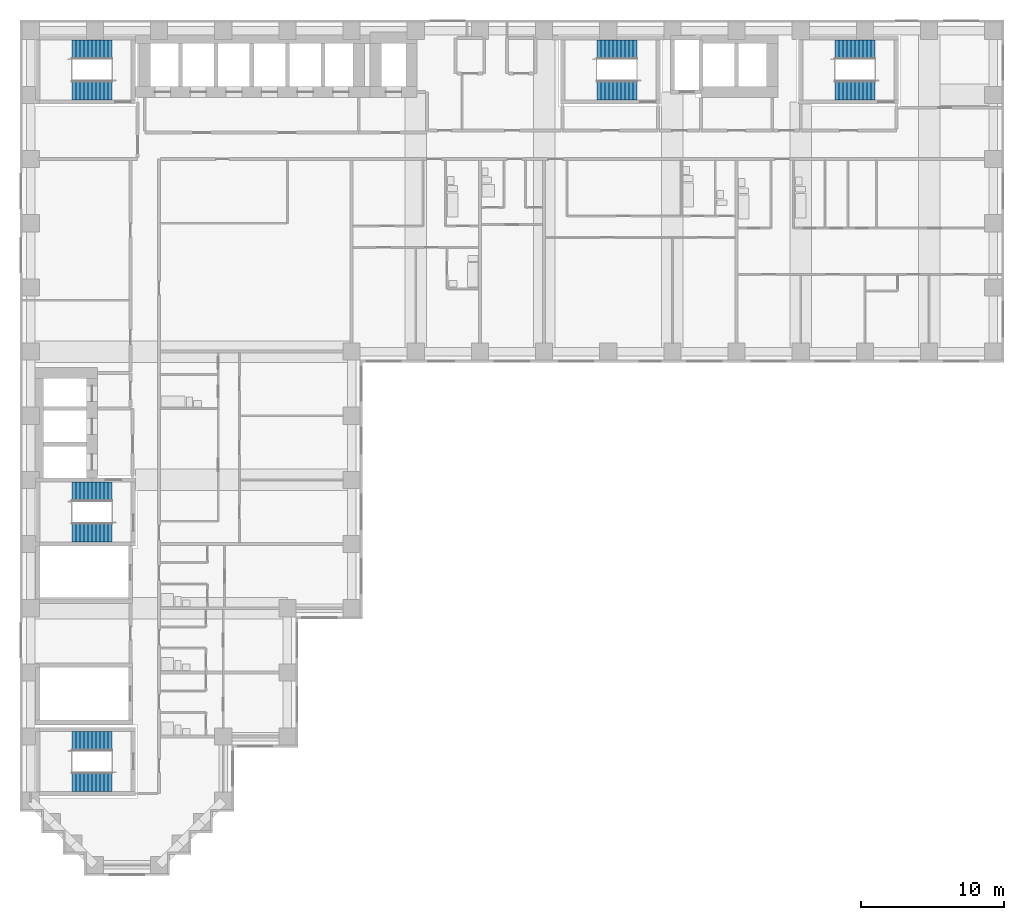
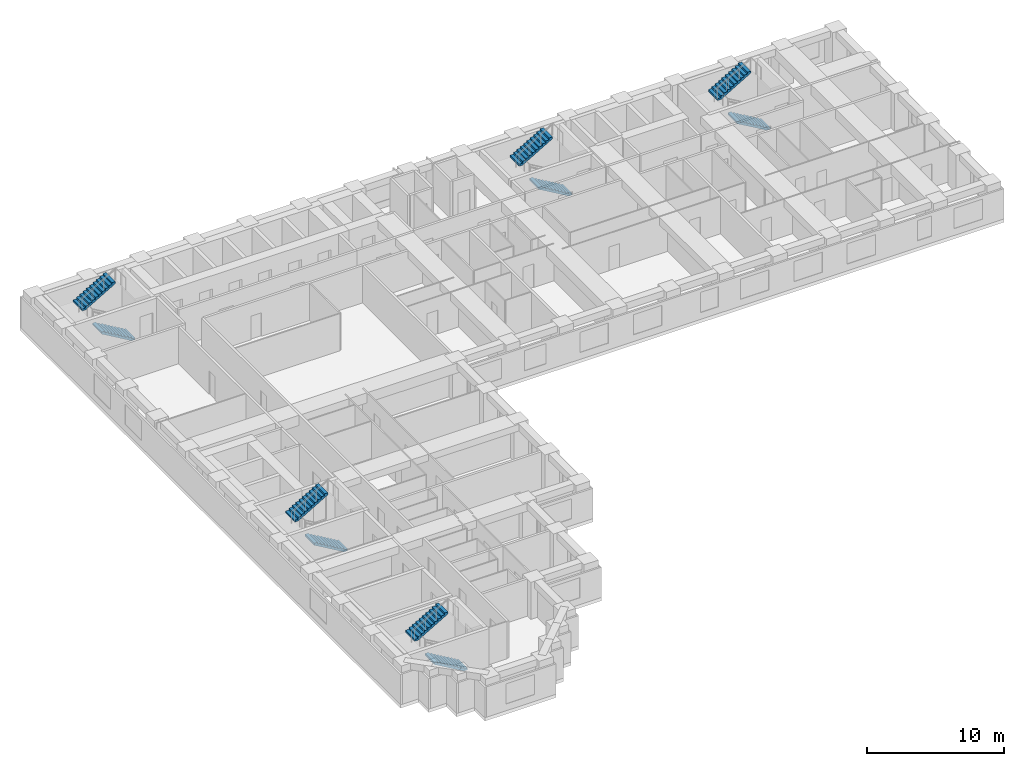
# One storey, part 9 of 11: 10 stair flights, 5 elements without a shape of their own.
"""IFC4 building model written with IfcOpenShell, lengths in metres."""

import ifcopenshell
import ifcopenshell.guid

model = None  # the IFC model being written
_history = None  # IfcOwnerHistory: only IFC2X3 demands one
_inside = {}  # id of a spatial element -> (the spatial element, [elements in it])
_under = {}  # id of a project, library or spatial element -> (it, [spatial elements below it])
_declared = {}  # id of a project -> (the project, [libraries it declares])
_typed = {}  # id of a type object -> (the type object, [elements of that type])
_made_of = {}  # id of a material, layer set ... -> (it, [elements and type objects made of it])


def new_model(schema):
    """Start an empty IFC model of exactly this schema.

    Asked for "IFC4X3", IfcOpenShell would pick the latest addendum, in which some entities
    have other attributes; the version numbers below select the first issue.
    IFC2X3 requires an IfcOwnerHistory on every rooted entity: one is made here for all.
    """
    global model, _history
    if schema == "IFC4X3":
        model = ifcopenshell.file(schema_version=(4, 3, 0, 0))
    else:
        model = ifcopenshell.file(schema=schema)
    _inside.clear()
    _under.clear()
    _declared.clear()
    _typed.clear()
    _made_of.clear()
    _history = None
    if model.schema == "IFC2X3":
        org = make("IfcOrganization", Name="unknown")
        user = make(
            "IfcPersonAndOrganization",
            ThePerson=make("IfcPerson", FamilyName="unknown"),
            TheOrganization=org,
        )
        app = make(
            "IfcApplication",
            ApplicationDeveloper=org,
            Version="unknown",
            ApplicationFullName="unknown",
            ApplicationIdentifier="unknown",
        )
        _history = make(
            "IfcOwnerHistory",
            OwningUser=user,
            OwningApplication=app,
            ChangeAction="ADDED",
            CreationDate=0,
        )
    return model


def make(cls, **values):
    """One entity of the class cls with the attributes given. An attribute that is None is left unset."""
    return model.create_entity(
        cls, **{name: value for name, value in values.items() if value is not None}
    )


def rooted(cls, **values):
    """An entity with a GlobalId (a new one), such as an element, a storey or a relation."""
    return make(cls, GlobalId=ifcopenshell.guid.new(), OwnerHistory=_history, **values)


def si_unit(unit_type, name, prefix=None):
    """IfcSIUnit, for example si_unit("LENGTHUNIT", "METRE", prefix="MILLI")."""
    return make("IfcSIUnit", UnitType=unit_type, Prefix=prefix, Name=name)


def assignment(units):
    """IfcUnitAssignment: the units of a project."""
    return None if units is None else make("IfcUnitAssignment", Units=units)


def point(xyz):
    """IfcCartesianPoint."""
    return None if xyz is None else make("IfcCartesianPoint", Coordinates=xyz)


def direction(xyz):
    """IfcDirection."""
    return None if xyz is None else make("IfcDirection", DirectionRatios=xyz)


def frame(location, z_axis=None, x_axis=None):
    """IfcAxis2Placement3D, a coordinate frame: its origin and axes. An axis left out is left unset."""
    return make(
        "IfcAxis2Placement3D",
        Location=point(location),
        Axis=direction(z_axis),
        RefDirection=direction(x_axis),
    )


def origin():
    """The frame at (0, 0, 0) with its axes left unset."""
    return frame((0.0, 0.0, 0.0))


def place(relative_to, where):
    """IfcLocalPlacement: puts the frame where relative to a parent placement (None: the world)."""
    return make(
        "IfcLocalPlacement", PlacementRelTo=relative_to, RelativePlacement=where
    )


def context(
    kind, dimensions, precision=None, world=None, true_north=None, identifier=None
):
    """IfcGeometricRepresentationContext, for example the 3D "Model" context."""
    return make(
        "IfcGeometricRepresentationContext",
        ContextIdentifier=identifier,
        ContextType=kind,
        CoordinateSpaceDimension=dimensions,
        Precision=precision,
        WorldCoordinateSystem=world,
        TrueNorth=true_north,
    )


def subcontext(parent, identifier, kind, view, scale=None):
    """IfcGeometricRepresentationSubContext, for example "Body" below "Model"."""
    return make(
        "IfcGeometricRepresentationSubContext",
        ContextIdentifier=identifier,
        ContextType=kind,
        ParentContext=parent,
        TargetScale=scale,
        TargetView=view,
    )


def project(units=None, contexts=None):
    """IfcProject with its units and contexts."""
    return rooted(
        "IfcProject",
        Name="project",
        RepresentationContexts=contexts,
        UnitsInContext=assignment(units),
    )


def spatial(cls, under=None, at=None, **own):
    """A site, building, storey or space (cls), placed at a placement, below another one or the project."""
    s = rooted(cls, ObjectPlacement=at, **own)
    if under is not None:
        _under.setdefault(under.id(), (under, []))[1].append(s)
    return s


def polyline(points):
    """IfcPolyline through the points."""
    return make("IfcPolyline", Points=[point(p) for p in points])


def outline(outer, holes=None, kind="AREA"):
    """IfcArbitraryClosedProfileDef: a profile drawn as a closed curve; with holes, ...WithVoids."""
    if holes is None:
        return make("IfcArbitraryClosedProfileDef", ProfileType=kind, OuterCurve=outer)
    return make(
        "IfcArbitraryProfileDefWithVoids",
        ProfileType=kind,
        OuterCurve=outer,
        InnerCurves=holes,
    )


def extrude(swept, where, along, depth):
    """IfcExtrudedAreaSolid: the profile swept, set in the frame where, extruded along a direction by depth."""
    return make(
        "IfcExtrudedAreaSolid",
        SweptArea=swept,
        Position=where,
        ExtrudedDirection=direction(along),
        Depth=depth,
    )


def shape(context_of_items, identifier, shape_type, items):
    """IfcShapeRepresentation: the items that make up one representation, for example the "Body"."""
    return make(
        "IfcShapeRepresentation",
        ContextOfItems=context_of_items,
        RepresentationIdentifier=identifier,
        RepresentationType=shape_type,
        Items=items,
    )


def material(Name=None, Category=None):
    """IfcMaterial."""
    return make("IfcMaterial", Name=Name, Category=Category)


def made_of(thing, what):
    """Note that an element or type object is made of a material, layer set ...; save() writes the relation."""
    if what is not None:
        _made_of.setdefault(what.id(), (what, []))[1].append(thing)
    return thing


def type_object(cls, material=None, **own):
    """A type object (cls), such as IfcWallType, which elements share."""
    return made_of(rooted(cls, **own), material)


def element(
    cls,
    number,
    at=None,
    inside=None,
    cuts=None,
    type_object=None,
    material=None,
    context=None,
    identifier="Body",
    shape_type=None,
    held_by="IfcProductDefinitionShape",
    body=None,
    shapes=None,
    **own,
):
    """One element of the class cls, such as IfcWall. Its Tag is "e" and its number.

    at: its placement. inside: the storey or other place that contains it. cuts: it is an
    opening in that element (IfcRelVoidsElement). A single representation is given by context,
    identifier, shape_type and body (its items); several are given by shapes. held_by: the class
    of the entity that holds the representations. save() writes the other relations.
    """
    e = rooted(cls, Tag="e%d" % number, ObjectPlacement=at, **own)
    if body is not None:
        shapes = [shape(context, identifier, shape_type, body)]
    if shapes is not None:
        e.Representation = make(held_by, Representations=shapes)
    if inside is not None:
        _inside.setdefault(inside.id(), (inside, []))[1].append(e)
    if cuts is not None:
        rooted(
            "IfcRelVoidsElement", RelatingBuildingElement=cuts, RelatedOpeningElement=e
        )
    if type_object is not None:
        _typed.setdefault(type_object.id(), (type_object, []))[1].append(e)
    return made_of(e, material)


def aggregate(whole, parts):
    """IfcRelAggregates: a whole, such as a stair, and the parts it consists of."""
    return rooted("IfcRelAggregates", RelatingObject=whole, RelatedObjects=parts)


def save(model, path):
    """Write the relations noted so far, then the file.

    IfcRelAggregates (storeys below a building ...), IfcRelContainedInSpatialStructure (elements
    in a storey), IfcRelDefinesByType, IfcRelAssociatesMaterial and IfcRelDeclares: one each for
    every whole, place, type object, material and project.
    """
    for whole, parts in _under.values():
        aggregate(whole, parts)
    for where, things in _inside.values():
        rooted(
            "IfcRelContainedInSpatialStructure",
            RelatedElements=things,
            RelatingStructure=where,
        )
    for kind, things in _typed.values():
        rooted("IfcRelDefinesByType", RelatedObjects=things, RelatingType=kind)
    for what, things in _made_of.values():
        rooted("IfcRelAssociatesMaterial", RelatedObjects=things, RelatingMaterial=what)
    for by, libraries in _declared.values():
        rooted("IfcRelDeclares", RelatingContext=by, RelatedDefinitions=libraries)
    model.write(path)


model = new_model("IFC4")

# Units and contexts
model_context = context("Model", 3, precision=1e-05, world=origin(), true_north=direction((0.0, 1.0)))
body_context = subcontext(model_context, "Body", "Model", "MODEL_VIEW")
ifc_project = project(units=[si_unit("LENGTHUNIT", "METRE"), si_unit("AREAUNIT", "SQUARE_METRE"), si_unit("VOLUMEUNIT", "CUBIC_METRE"), si_unit("PLANEANGLEUNIT", "RADIAN"), si_unit("MASSUNIT", "GRAM", prefix="KILO")], contexts=[model_context])

# Site, building, storey
site_placement = place(None, origin())
site = spatial("IfcSite", under=ifc_project, at=site_placement, CompositionType="ELEMENT")
building_placement = place(site_placement, origin())
building = spatial("IfcBuilding", under=site, at=building_placement, Name="Firuza Court", CompositionType="ELEMENT")
storey_placement = place(building_placement, frame((0.0, 0.0, 79.39990234375)))
storey = spatial("IfcBuildingStorey", under=building, at=storey_placement, Name="L19", CompositionType="ELEMENT", Elevation=79.39990234375)

# Stair, stair flights
ifc_material_1 = material(Name="Concrete C40/50 precast", Category="concrete")
stair_type = type_object("IfcStairType", Name="Stair 1350 x 3600 2 flights", PredefinedType="HALF_TURN_STAIR", material=ifc_material_1)
stair_1_placement = place(storey_placement, origin())
stair_1 = element("IfcStair", 1, at=stair_1_placement, inside=storey, type_object=stair_type, Name="Stair 1 L19", PredefinedType="HALF_TURN_STAIR")
ifc_material_2 = material(Name="Concrete C40/50 precast", Category="concrete")
stair_flight_type = type_object("IfcStairFlightType", Name="Flight 1350 riser 163.6", PredefinedType="STRAIGHT", material=ifc_material_2)
stair_flight_1_placement = place(storey_placement, frame((42.5, 54.324951171875, 0.0), z_axis=(0.0, 0.0, 1.0), x_axis=(-1.0, 0.0, 0.0)))
stair_flight_1 = element("IfcStairFlight", 2, at=stair_flight_1_placement, type_object=stair_flight_type, Name="S1 flight 1", NumberOfRisers=11, NumberOfTreads=10, PredefinedType="STRAIGHT", RiserHeight=0.163636364, TreadLength=0.28, context=body_context, shape_type="SweptSolid", body=[
    extrude(outline(polyline([(0.0, 0.0), (0.0, 0.16357421875), (0.280029296875, 0.16357421875), (0.280029296875, 0.327392578125), (0.56005859375, 0.327392578125), (0.56005859375, 0.490966796875), (0.840087890625, 0.490966796875), (0.840087890625, 0.654541015625), (1.1201171875, 0.654541015625), (1.1201171875, 0.818115234375), (1.39990234375, 0.818115234375), (1.39990234375, 0.98193359375), (1.679931640625, 0.98193359375), (1.679931640625, 1.1455078125), (1.9599609375, 1.1455078125), (1.9599609375, 1.30908203125), (2.239990234375, 1.30908203125), (2.239990234375, 1.47265625), (2.52001953125, 1.47265625), (2.52001953125, 1.636474609375), (2.800048828125, 1.636474609375), (2.800048828125, 1.800048828125), (2.800048828125, 1.462646484375), (0.297119140625, 0.0), (0.0, 0.0)])), frame((0.0, 0.675048828125, 0.0), z_axis=(0.0, -1.0, 0.0), x_axis=(1.0, 0.0, 0.0)), (0.0, 0.0, 1.0), 1.35009765625),
])
stair_flight_2_placement = place(storey_placement, frame((39.699951171875, 57.175048828125, 1.800048828125), z_axis=(0.0, 0.0, 1.0), x_axis=(1.0, 0.0, 0.0)))
stair_flight_2 = element("IfcStairFlight", 3, at=stair_flight_2_placement, type_object=stair_flight_type, Name="S1 flight 2", NumberOfRisers=11, NumberOfTreads=10, PredefinedType="STRAIGHT", RiserHeight=0.163636364, TreadLength=0.28, context=body_context, shape_type="SweptSolid", body=[
    extrude(outline(polyline([(0.0, 0.0), (0.0, 0.16357421875), (0.280029296875, 0.16357421875), (0.280029296875, 0.327392578125), (0.56005859375, 0.327392578125), (0.56005859375, 0.490966796875), (0.840087890625, 0.490966796875), (0.840087890625, 0.654541015625), (1.1201171875, 0.654541015625), (1.1201171875, 0.818115234375), (1.39990234375, 0.818115234375), (1.39990234375, 0.98193359375), (1.679931640625, 0.98193359375), (1.679931640625, 1.1455078125), (1.9599609375, 1.1455078125), (1.9599609375, 1.30908203125), (2.239990234375, 1.30908203125), (2.239990234375, 1.47265625), (2.52001953125, 1.47265625), (2.52001953125, 1.636474609375), (2.800048828125, 1.636474609375), (2.800048828125, 1.800048828125), (2.800048828125, 1.462646484375), (0.297119140625, 0.0), (0.0, 0.0)])), frame((0.0, 0.675048828125, 0.0), z_axis=(0.0, -1.0, 0.0), x_axis=(1.0, 0.0, 0.0)), (0.0, 0.0, 1.0), 1.35009765625),
])
aggregate(stair_1, [stair_flight_1, stair_flight_2])

stair_2_placement = place(storey_placement, origin())
stair_2 = element("IfcStair", 4, at=stair_2_placement, inside=storey, type_object=stair_type, Name="Stair 2 L19", PredefinedType="HALF_TURN_STAIR")
stair_flight_3_placement = place(storey_placement, frame((5.699951171875, 23.324951171875, 0.0), z_axis=(0.0, 0.0, 1.0), x_axis=(-1.0, 0.0, 0.0)))
stair_flight_3 = element("IfcStairFlight", 5, at=stair_flight_3_placement, type_object=stair_flight_type, Name="S2 flight 1", NumberOfRisers=11, NumberOfTreads=10, PredefinedType="STRAIGHT", RiserHeight=0.163636364, TreadLength=0.28, context=body_context, shape_type="SweptSolid", body=[
    extrude(outline(polyline([(0.0, 0.0), (0.0, 0.16357421875), (0.280029296875, 0.16357421875), (0.280029296875, 0.327392578125), (0.56005859375, 0.327392578125), (0.56005859375, 0.490966796875), (0.840087890625, 0.490966796875), (0.840087890625, 0.654541015625), (1.1201171875, 0.654541015625), (1.1201171875, 0.818115234375), (1.39990234375, 0.818115234375), (1.39990234375, 0.98193359375), (1.679931640625, 0.98193359375), (1.679931640625, 1.1455078125), (1.9599609375, 1.1455078125), (1.9599609375, 1.30908203125), (2.239990234375, 1.30908203125), (2.239990234375, 1.47265625), (2.52001953125, 1.47265625), (2.52001953125, 1.636474609375), (2.800048828125, 1.636474609375), (2.800048828125, 1.800048828125), (2.800048828125, 1.462646484375), (0.297119140625, 0.0), (0.0, 0.0)])), frame((0.0, 0.675048828125, 0.0), z_axis=(0.0, -1.0, 0.0), x_axis=(1.0, 0.0, 0.0)), (0.0, 0.0, 1.0), 1.35009765625),
])
stair_flight_4_placement = place(storey_placement, frame((2.89990234375, 26.175048828125, 1.800048828125), z_axis=(0.0, 0.0, 1.0), x_axis=(1.0, 0.0, 0.0)))
stair_flight_4 = element("IfcStairFlight", 6, at=stair_flight_4_placement, type_object=stair_flight_type, Name="S2 flight 2", NumberOfRisers=11, NumberOfTreads=10, PredefinedType="STRAIGHT", RiserHeight=0.163636364, TreadLength=0.28, context=body_context, shape_type="SweptSolid", body=[
    extrude(outline(polyline([(0.0, 0.0), (0.0, 0.16357421875), (0.280029296875, 0.16357421875), (0.280029296875, 0.327392578125), (0.56005859375, 0.327392578125), (0.56005859375, 0.490966796875), (0.840087890625, 0.490966796875), (0.840087890625, 0.654541015625), (1.1201171875, 0.654541015625), (1.1201171875, 0.818115234375), (1.39990234375, 0.818115234375), (1.39990234375, 0.98193359375), (1.679931640625, 0.98193359375), (1.679931640625, 1.1455078125), (1.9599609375, 1.1455078125), (1.9599609375, 1.30908203125), (2.239990234375, 1.30908203125), (2.239990234375, 1.47265625), (2.52001953125, 1.47265625), (2.52001953125, 1.636474609375), (2.800048828125, 1.636474609375), (2.800048828125, 1.800048828125), (2.800048828125, 1.462646484375), (0.297119140625, 0.0), (0.0, 0.0)])), frame((0.0, 0.675048828125, 0.0), z_axis=(0.0, -1.0, 0.0), x_axis=(1.0, 0.0, 0.0)), (0.0, 0.0, 1.0), 1.35009765625),
])
aggregate(stair_2, [stair_flight_3, stair_flight_4])

stair_3_placement = place(storey_placement, origin())
stair_3 = element("IfcStair", 7, at=stair_3_placement, inside=storey, type_object=stair_type, Name="Stair 3 L19", PredefinedType="HALF_TURN_STAIR")
stair_flight_5_placement = place(storey_placement, frame((5.699951171875, 54.324951171875, 0.0), z_axis=(0.0, 0.0, 1.0), x_axis=(-1.0, 0.0, 0.0)))
stair_flight_5 = element("IfcStairFlight", 8, at=stair_flight_5_placement, type_object=stair_flight_type, Name="S3 flight 1", NumberOfRisers=11, NumberOfTreads=10, PredefinedType="STRAIGHT", RiserHeight=0.163636364, TreadLength=0.28, context=body_context, shape_type="SweptSolid", body=[
    extrude(outline(polyline([(0.0, 0.0), (0.0, 0.16357421875), (0.280029296875, 0.16357421875), (0.280029296875, 0.327392578125), (0.56005859375, 0.327392578125), (0.56005859375, 0.490966796875), (0.840087890625, 0.490966796875), (0.840087890625, 0.654541015625), (1.1201171875, 0.654541015625), (1.1201171875, 0.818115234375), (1.39990234375, 0.818115234375), (1.39990234375, 0.98193359375), (1.679931640625, 0.98193359375), (1.679931640625, 1.1455078125), (1.9599609375, 1.1455078125), (1.9599609375, 1.30908203125), (2.239990234375, 1.30908203125), (2.239990234375, 1.47265625), (2.52001953125, 1.47265625), (2.52001953125, 1.636474609375), (2.800048828125, 1.636474609375), (2.800048828125, 1.800048828125), (2.800048828125, 1.462646484375), (0.297119140625, 0.0), (0.0, 0.0)])), frame((0.0, 0.675048828125, 0.0), z_axis=(0.0, -1.0, 0.0), x_axis=(1.0, 0.0, 0.0)), (0.0, 0.0, 1.0), 1.35009765625),
])
stair_flight_6_placement = place(storey_placement, frame((2.89990234375, 57.175048828125, 1.800048828125), z_axis=(0.0, 0.0, 1.0), x_axis=(1.0, 0.0, 0.0)))
stair_flight_6 = element("IfcStairFlight", 9, at=stair_flight_6_placement, type_object=stair_flight_type, Name="S3 flight 2", NumberOfRisers=11, NumberOfTreads=10, PredefinedType="STRAIGHT", RiserHeight=0.163636364, TreadLength=0.28, context=body_context, shape_type="SweptSolid", body=[
    extrude(outline(polyline([(0.0, 0.0), (0.0, 0.16357421875), (0.280029296875, 0.16357421875), (0.280029296875, 0.327392578125), (0.56005859375, 0.327392578125), (0.56005859375, 0.490966796875), (0.840087890625, 0.490966796875), (0.840087890625, 0.654541015625), (1.1201171875, 0.654541015625), (1.1201171875, 0.818115234375), (1.39990234375, 0.818115234375), (1.39990234375, 0.98193359375), (1.679931640625, 0.98193359375), (1.679931640625, 1.1455078125), (1.9599609375, 1.1455078125), (1.9599609375, 1.30908203125), (2.239990234375, 1.30908203125), (2.239990234375, 1.47265625), (2.52001953125, 1.47265625), (2.52001953125, 1.636474609375), (2.800048828125, 1.636474609375), (2.800048828125, 1.800048828125), (2.800048828125, 1.462646484375), (0.297119140625, 0.0), (0.0, 0.0)])), frame((0.0, 0.675048828125, 0.0), z_axis=(0.0, -1.0, 0.0), x_axis=(1.0, 0.0, 0.0)), (0.0, 0.0, 1.0), 1.35009765625),
])
aggregate(stair_3, [stair_flight_5, stair_flight_6])

stair_4_placement = place(storey_placement, origin())
stair_4 = element("IfcStair", 10, at=stair_4_placement, inside=storey, type_object=stair_type, Name="Stair 4 L19", PredefinedType="HALF_TURN_STAIR")
stair_flight_7_placement = place(storey_placement, frame((59.199951171875, 54.324951171875, 0.0), z_axis=(0.0, 0.0, 1.0), x_axis=(-1.0, 0.0, 0.0)))
stair_flight_7 = element("IfcStairFlight", 11, at=stair_flight_7_placement, type_object=stair_flight_type, Name="S4 flight 1", NumberOfRisers=11, NumberOfTreads=10, PredefinedType="STRAIGHT", RiserHeight=0.163636364, TreadLength=0.28, context=body_context, shape_type="SweptSolid", body=[
    extrude(outline(polyline([(0.0, 0.0), (0.0, 0.16357421875), (0.280029296875, 0.16357421875), (0.280029296875, 0.327392578125), (0.56005859375, 0.327392578125), (0.56005859375, 0.490966796875), (0.840087890625, 0.490966796875), (0.840087890625, 0.654541015625), (1.1201171875, 0.654541015625), (1.1201171875, 0.818115234375), (1.39990234375, 0.818115234375), (1.39990234375, 0.98193359375), (1.679931640625, 0.98193359375), (1.679931640625, 1.1455078125), (1.9599609375, 1.1455078125), (1.9599609375, 1.30908203125), (2.239990234375, 1.30908203125), (2.239990234375, 1.47265625), (2.52001953125, 1.47265625), (2.52001953125, 1.636474609375), (2.800048828125, 1.636474609375), (2.800048828125, 1.800048828125), (2.800048828125, 1.462646484375), (0.297119140625, 0.0), (0.0, 0.0)])), frame((0.0, 0.675048828125, 0.0), z_axis=(0.0, -1.0, 0.0), x_axis=(1.0, 0.0, 0.0)), (0.0, 0.0, 1.0), 1.35009765625),
])
stair_flight_8_placement = place(storey_placement, frame((56.39990234375, 57.175048828125, 1.800048828125), z_axis=(0.0, 0.0, 1.0), x_axis=(1.0, 0.0, 0.0)))
stair_flight_8 = element("IfcStairFlight", 12, at=stair_flight_8_placement, type_object=stair_flight_type, Name="S4 flight 2", NumberOfRisers=11, NumberOfTreads=10, PredefinedType="STRAIGHT", RiserHeight=0.163636364, TreadLength=0.28, context=body_context, shape_type="SweptSolid", body=[
    extrude(outline(polyline([(0.0, 0.0), (0.0, 0.16357421875), (0.280029296875, 0.16357421875), (0.280029296875, 0.327392578125), (0.56005859375, 0.327392578125), (0.56005859375, 0.490966796875), (0.840087890625, 0.490966796875), (0.840087890625, 0.654541015625), (1.1201171875, 0.654541015625), (1.1201171875, 0.818115234375), (1.39990234375, 0.818115234375), (1.39990234375, 0.98193359375), (1.679931640625, 0.98193359375), (1.679931640625, 1.1455078125), (1.9599609375, 1.1455078125), (1.9599609375, 1.30908203125), (2.239990234375, 1.30908203125), (2.239990234375, 1.47265625), (2.52001953125, 1.47265625), (2.52001953125, 1.636474609375), (2.800048828125, 1.636474609375), (2.800048828125, 1.800048828125), (2.800048828125, 1.462646484375), (0.297119140625, 0.0), (0.0, 0.0)])), frame((0.0, 0.675048828125, 0.0), z_axis=(0.0, -1.0, 0.0), x_axis=(1.0, 0.0, 0.0)), (0.0, 0.0, 1.0), 1.35009765625),
])
aggregate(stair_4, [stair_flight_7, stair_flight_8])

stair_5_placement = place(storey_placement, origin())
stair_5 = element("IfcStair", 13, at=stair_5_placement, inside=storey, type_object=stair_type, Name="Stair 5 L19", PredefinedType="HALF_TURN_STAIR")
stair_flight_9_placement = place(storey_placement, frame((5.699951171875, 5.824951171875, 0.0), z_axis=(0.0, 0.0, 1.0), x_axis=(-1.0, 0.0, 0.0)))
stair_flight_9 = element("IfcStairFlight", 14, at=stair_flight_9_placement, type_object=stair_flight_type, Name="S5 flight 1", NumberOfRisers=11, NumberOfTreads=10, PredefinedType="STRAIGHT", RiserHeight=0.163636364, TreadLength=0.28, context=body_context, shape_type="SweptSolid", body=[
    extrude(outline(polyline([(0.0, 0.0), (0.0, 0.16357421875), (0.280029296875, 0.16357421875), (0.280029296875, 0.327392578125), (0.56005859375, 0.327392578125), (0.56005859375, 0.490966796875), (0.840087890625, 0.490966796875), (0.840087890625, 0.654541015625), (1.1201171875, 0.654541015625), (1.1201171875, 0.818115234375), (1.39990234375, 0.818115234375), (1.39990234375, 0.98193359375), (1.679931640625, 0.98193359375), (1.679931640625, 1.1455078125), (1.9599609375, 1.1455078125), (1.9599609375, 1.30908203125), (2.239990234375, 1.30908203125), (2.239990234375, 1.47265625), (2.52001953125, 1.47265625), (2.52001953125, 1.636474609375), (2.800048828125, 1.636474609375), (2.800048828125, 1.800048828125), (2.800048828125, 1.462646484375), (0.297119140625, 0.0), (0.0, 0.0)])), frame((0.0, 0.675048828125, 0.0), z_axis=(0.0, -1.0, 0.0), x_axis=(1.0, 0.0, 0.0)), (0.0, 0.0, 1.0), 1.35009765625),
])
stair_flight_10_placement = place(storey_placement, frame((2.89990234375, 8.675048828125, 1.800048828125), z_axis=(0.0, 0.0, 1.0), x_axis=(1.0, 0.0, 0.0)))
stair_flight_10 = element("IfcStairFlight", 15, at=stair_flight_10_placement, type_object=stair_flight_type, Name="S5 flight 2", NumberOfRisers=11, NumberOfTreads=10, PredefinedType="STRAIGHT", RiserHeight=0.163636364, TreadLength=0.28, context=body_context, shape_type="SweptSolid", body=[
    extrude(outline(polyline([(0.0, 0.0), (0.0, 0.16357421875), (0.280029296875, 0.16357421875), (0.280029296875, 0.327392578125), (0.56005859375, 0.327392578125), (0.56005859375, 0.490966796875), (0.840087890625, 0.490966796875), (0.840087890625, 0.654541015625), (1.1201171875, 0.654541015625), (1.1201171875, 0.818115234375), (1.39990234375, 0.818115234375), (1.39990234375, 0.98193359375), (1.679931640625, 0.98193359375), (1.679931640625, 1.1455078125), (1.9599609375, 1.1455078125), (1.9599609375, 1.30908203125), (2.239990234375, 1.30908203125), (2.239990234375, 1.47265625), (2.52001953125, 1.47265625), (2.52001953125, 1.636474609375), (2.800048828125, 1.636474609375), (2.800048828125, 1.800048828125), (2.800048828125, 1.462646484375), (0.297119140625, 0.0), (0.0, 0.0)])), frame((0.0, 0.675048828125, 0.0), z_axis=(0.0, -1.0, 0.0), x_axis=(1.0, 0.0, 0.0)), (0.0, 0.0, 1.0), 1.35009765625),
])
aggregate(stair_5, [stair_flight_9, stair_flight_10])

save(model, "model.ifc")
